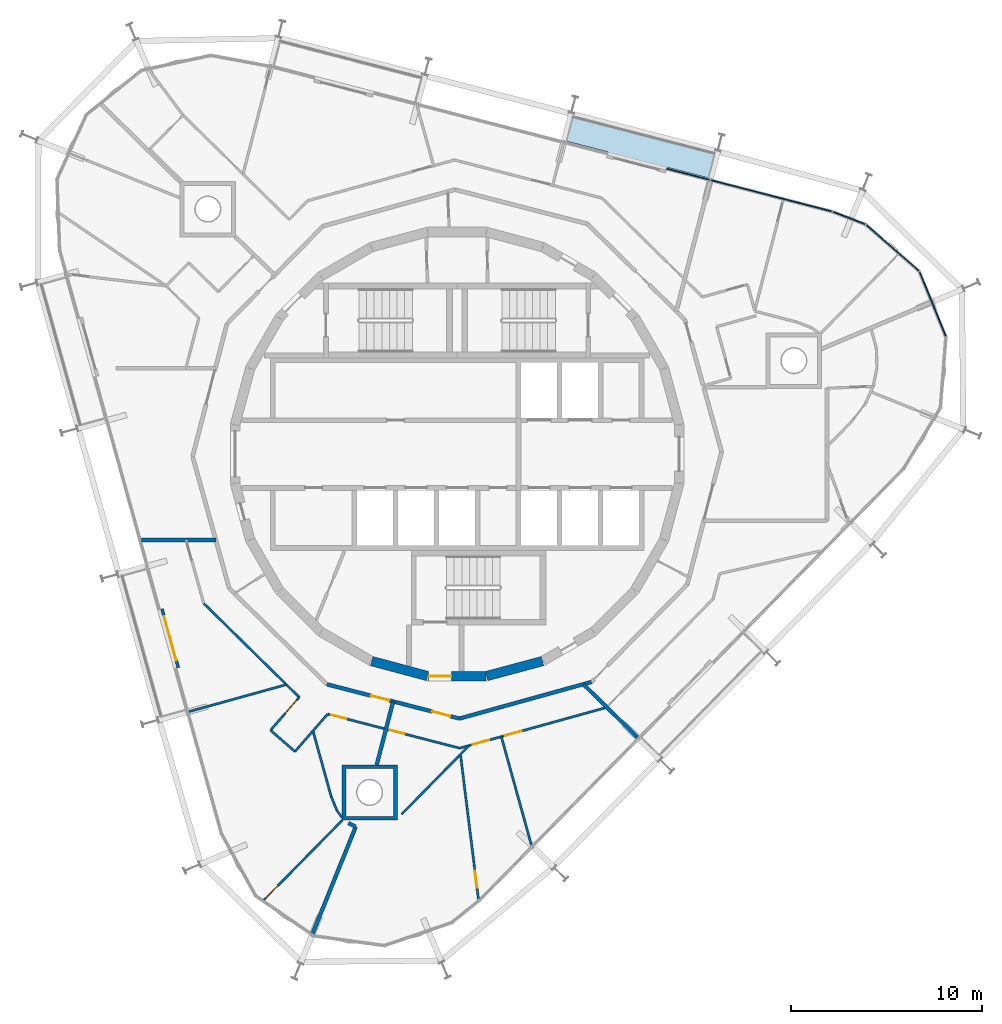
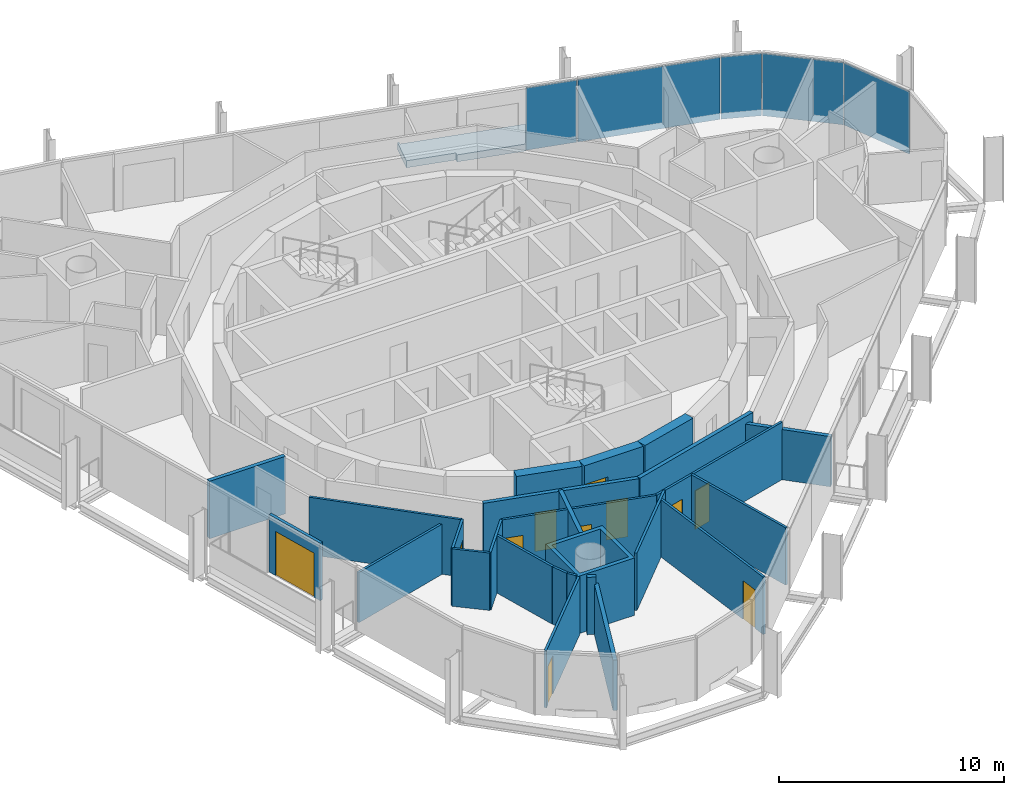
# One storey, part 9 of 15: 26 walls, 11 doors, 5 plates, 1 slab, 11 openings, 2 elements without a shape of their own.
"""IFC4 building model written with IfcOpenShell, lengths in metres."""

from ifc_helpers import new_model, si_unit, direction, frame, frame_2d, origin, origin_2d, place, context, subcontext, project, spatial, polyline, rectangle, outline, extrude, material, layer, layer_set, type_object, element, fill, aggregate, save


model = new_model("IFC4")

# Units and contexts
model_context = context("Model", 3, precision=1e-05, world=origin(), true_north=direction((0.0, 1.0)))
body_context = subcontext(model_context, "Body", "Model", "MODEL_VIEW")
ifc_project = project(units=[si_unit("LENGTHUNIT", "METRE"), si_unit("AREAUNIT", "SQUARE_METRE"), si_unit("VOLUMEUNIT", "CUBIC_METRE"), si_unit("PLANEANGLEUNIT", "RADIAN"), si_unit("MASSUNIT", "GRAM", prefix="KILO")], contexts=[model_context])

# Site, building, storey
site_placement = place(None, origin())
site = spatial("IfcSite", under=ifc_project, at=site_placement, CompositionType="ELEMENT")
building_placement = place(site_placement, origin())
building = spatial("IfcBuilding", under=site, at=building_placement, Name="Spindle Arch Residences", CompositionType="ELEMENT")
storey_placement = place(building_placement, frame((0.0, 0.0, 308.699951171875)))
storey = spatial("IfcBuildingStorey", under=building, at=storey_placement, Name="L79", CompositionType="ELEMENT", Elevation=308.699951171875)

# Slab
ifc_material_1 = material(Name="Concrete C40/50", Category="concrete")
ifc_layer_1 = layer(ifc_material_1, 0.3798828125)
ifc_layer_set_1 = layer_set([ifc_layer_1], Name="Balcony slab 380")
slab_type = type_object("IfcSlabType", Name="Balcony slab 380", PredefinedType="FLOOR", material=ifc_layer_set_1)
slab_placement = place(storey_placement, frame((0.0, 0.0, -0.3798828125)))
element("IfcSlab", 1, at=slab_placement, inside=storey, type_object=slab_type, Name="Balcony L79 bay 6", PredefinedType="FLOOR", context=body_context, shape_type="SweptSolid", body=[
    extrude(outline(polyline([(13.600830078125, 15.916259765625), (13.5283203125, 15.93505859375), (13.49072265625, 15.789794921875), (6.098876953125, 17.701416015625), (6.136474609375, 17.8466796875), (6.063720703125, 17.865478515625), (5.690673828125, 16.4228515625), (7.91015625, 15.848876953125), (7.8701171875, 15.694091796875), (10.96826171875, 14.892822265625), (11.00830078125, 15.047607421875), (13.227783203125, 14.4736328125), (13.600830078125, 15.916259765625)])), origin(), (0.0, 0.0, 1.0), 0.3798828125),
])

# Curtain wall, plates
ifc_material_2 = material(Name="Aluminium bronze unitised frame with tinted glass", Category="aluminium")
ifc_layer_2 = layer(ifc_material_2, 0.159912109375)
ifc_layer_set_2 = layer_set([ifc_layer_2], Name="CW-D corner wall on the fillet arcs")
curtain_wall_type_1 = type_object("IfcCurtainWallType", Name="CW-D corner wall on the fillet arcs", PredefinedType="NOTDEFINED", material=ifc_layer_set_2)
curtain_wall_1_placement = place(storey_placement, origin())
curtain_wall_1 = element("IfcCurtainWall", 2, at=curtain_wall_1_placement, inside=storey, type_object=curtain_wall_type_1, Name="CW-D L79 run 1", PredefinedType="NOTDEFINED")
ifc_material_3 = material(Name="Tinted double glazing over aluminium faced non-combustible spandrel zone (K0)", Category="aluminium")
ifc_layer_3 = layer(ifc_material_3, 0.06005859375)
ifc_layer_set_3 = layer_set([ifc_layer_3], Name="Unitised glass panel with E 60 spandrel zone")
plate_type = type_object("IfcPlateType", Name="Unitised glass panel with E 60 spandrel zone", PredefinedType="CURTAIN_PANEL", material=ifc_layer_set_3)
plate_1_placement = place(storey_placement, frame((24.94384765625, 7.86474609375, -0.3798828125), z_axis=(0.0, 0.0, 1.0), x_axis=(-0.377302072189, 0.926090247396, 0.0)))
plate_1 = element("IfcPlate", 3, at=plate_1_placement, type_object=plate_type, Name="CW-D unit 03", PredefinedType="CURTAIN_PANEL", context=body_context, shape_type="SweptSolid", body=[
    extrude(rectangle(XDim=3.666748046875, YDim=0.06005859375, at=origin_2d()), origin(), (0.0, 0.0, 1.0), 3.3798828125),
])
plate_2_placement = place(storey_placement, frame((22.837890625, 10.81689453125, -0.3798828125), z_axis=(0.0, 0.0, 1.0), x_axis=(-0.752797991635, 0.658251611308, 0.0)))
plate_2 = element("IfcPlate", 4, at=plate_2_placement, type_object=plate_type, Name="CW-D unit 04", PredefinedType="CURTAIN_PANEL", context=body_context, shape_type="SweptSolid", body=[
    extrude(rectangle(XDim=3.666748046875, YDim=0.06005859375, at=origin_2d()), origin(), (0.0, 0.0, 1.0), 3.3798828125),
])
plate_3_placement = place(storey_placement, frame((20.560546875, 12.38232421875, -0.3798828125), z_axis=(0.0, 0.0, 1.0), x_axis=(-0.932534030225, 0.361082099353, 0.0)))
plate_3 = element("IfcPlate", 5, at=plate_3_placement, type_object=plate_type, Name="CW-D unit 05", PredefinedType="CURTAIN_PANEL", context=body_context, shape_type="SweptSolid", body=[
    extrude(rectangle(XDim=1.816162109375, YDim=0.06005859375, at=origin_2d()), origin(), (0.0, 0.0, 1.0), 3.3798828125),
])
plate_4_placement = place(storey_placement, frame((16.483154296875, 13.549072265625, -0.3798828125), z_axis=(0.0, 0.0, 1.0), x_axis=(-0.968147640378, 0.250380004054, 0.0)))
plate_4 = element("IfcPlate", 6, at=plate_4_placement, type_object=plate_type, Name="CW-D unit 06", PredefinedType="CURTAIN_PANEL", context=body_context, shape_type="SweptSolid", body=[
    extrude(rectangle(XDim=6.555908203125, YDim=0.06005859375, at=origin_2d()), origin(), (0.0, 0.0, 1.0), 3.3798828125),
])
aggregate(curtain_wall_1, [plate_1, plate_2, plate_3, plate_4])

# Curtain wall, plate
ifc_material_4 = material(Name="Aluminium bronze unitised frame with tinted glass", Category="aluminium")
ifc_layer_4 = layer(ifc_material_4, 0.159912109375)
ifc_layer_set_4 = layer_set([ifc_layer_4], Name="CW-C typical residential unitised wall")
curtain_wall_type_2 = type_object("IfcCurtainWallType", Name="CW-C typical residential unitised wall", PredefinedType="NOTDEFINED", material=ifc_layer_set_4)
curtain_wall_2_placement = place(storey_placement, origin())
curtain_wall_2 = element("IfcCurtainWall", 7, at=curtain_wall_2_placement, inside=storey, type_object=curtain_wall_type_2, Name="CW-C L79 run 2", PredefinedType="NOTDEFINED")
plate_5_placement = place(storey_placement, frame((12.119873046875, 14.677490234375, -0.3798828125), z_axis=(0.0, 0.0, 1.0), x_axis=(-0.968147640378, 0.250380004054, 0.0)))
plate_5 = element("IfcPlate", 8, at=plate_5_placement, type_object=plate_type, Name="CW-C unit 05L", PredefinedType="CURTAIN_PANEL", context=body_context, shape_type="SweptSolid", body=[
    extrude(rectangle(XDim=2.337646484375, YDim=0.06005859375, at=origin_2d()), origin(), (0.0, 0.0, 1.0), 3.3798828125),
])
aggregate(curtain_wall_2, [plate_5])

# Walls
ifc_material_5 = material(Name="Concrete C50/60", Category="concrete")
ifc_layer_5 = layer(ifc_material_5, 0.5)
ifc_layer_set_5 = layer_set([ifc_layer_5], Name="Core outline wall 500")
wall_type_1 = type_object("IfcWallType", Name="Core outline wall 500", PredefinedType="SHEAR", material=ifc_layer_set_5)
for number, where, z_axis, x_axis, name in (
    (9, (1.5498046875, -11.642822265625, 0.0), (0.0, 0.0, 1.0), (0.965948410781, 0.258734743916, 0.0), "Core outline wall 1"),
    (10, (-4.479248046875, -10.858154296875, 0.0), (0.0, 0.0, 1.0), (0.965948410781, -0.258734743916, 0.0), "Core outline wall 23"),
):
    element("IfcWall", number, at=place(storey_placement, frame(where, z_axis=z_axis, x_axis=x_axis)), inside=storey, type_object=wall_type_1, Name=name, PredefinedType="SHEAR", context=body_context, shape_type="SweptSolid", body=[
        extrude(rectangle(XDim=3.03271484375, YDim=0.5, at=frame_2d((1.516357421875, 0.0))), origin(), (0.0, 0.0, 1.0), 3.1201171875),
    ])

# Wall, opening, door
wall_1_placement = place(storey_placement, frame((-1.516357421875, -11.647216796875, 0.0), z_axis=(0.0, 0.0, 1.0), x_axis=(1.0, 0.0, 0.0)))
wall_1 = element("IfcWall", 11, at=wall_1_placement, inside=storey, type_object=wall_type_1, Name="Core outline wall 24", PredefinedType="SHEAR", context=body_context, shape_type="SweptSolid", body=[
    extrude(rectangle(XDim=3.03271484375, YDim=0.5, at=frame_2d((1.516357421875, 0.0))), origin(), (0.0, 0.0, 1.0), 3.1201171875),
])
opening_1_placement = place(wall_1_placement, frame((0.016357421875, 0.0, 0.0)))
opening_1 = element("IfcOpeningElement", 12, at=opening_1_placement, cuts=wall_1, Name="Opening R8B1-AD03", PredefinedType="OPENING", context=body_context, shape_type="SweptSolid", body=[
    extrude(rectangle(XDim=1.199951171875, YDim=2.10009765625, at=frame_2d((0.60009765625, 1.050048828125))), frame((0.0, 0.260009765625, 0.0), z_axis=(0.0, -1.0, 0.0), x_axis=(1.0, 0.0, 0.0)), (0.0, 0.0, 1.0), 0.52001953125),
])
ifc_material_6 = material(Name="Steel, fire-resisting door", Category="steel")
door_type_1 = type_object("IfcDoorType", Name="Stair airlock door 1200x2100", OperationType="SINGLE_SWING_LEFT", PredefinedType="DOOR", material=ifc_material_6)
door_1_placement = place(opening_1_placement, origin())
door_1 = element("IfcDoor", 13, at=door_1_placement, inside=storey, type_object=door_type_1, Name="Stair airlock door R8B1-AD03", OperationType="SINGLE_SWING_RIGHT", OverallHeight=2.10009765625, OverallWidth=1.199951171875, PredefinedType="DOOR", context=body_context, shape_type="SweptSolid", body=[
    extrude(rectangle(XDim=1.199951171875, YDim=2.10009765625, at=frame_2d((0.60009765625, 1.050048828125))), frame((0.0, 0.02490234375, 0.0), z_axis=(0.0, -1.0, 0.0), x_axis=(1.0, 0.0, 0.0)), (0.0, 0.0, 1.0), 0.050048828125),
])
fill(opening_1, door_1)

# Wall, openings, doors
ifc_material_7 = material(Name="Calcium silicate block, plastered")
ifc_layer_6 = layer(ifc_material_7, 0.199951171875)
ifc_layer_set_6 = layer_set([ifc_layer_6], Name="Corridor wall 200")
wall_type_2 = type_object("IfcWallType", Name="Corridor wall 200", PredefinedType="STANDARD", material=ifc_layer_set_6)
wall_2_placement = place(storey_placement, frame((-6.831298828125, -12.07421875, 0.0), z_axis=(0.0, 0.0, 1.0), x_axis=(0.968144780225, -0.250391063186, 0.0)))
wall_2 = element("IfcWall", 14, at=wall_2_placement, inside=storey, type_object=wall_type_2, Name="Corridor wall R8B1-W014", PredefinedType="STANDARD", context=body_context, shape_type="SweptSolid", body=[
    extrude(rectangle(XDim=7.18115234375, YDim=0.199951171875, at=frame_2d((3.590576171875, 0.0))), origin(), (0.0, 0.0, 1.0), 3.1201171875),
])
opening_2_placement = place(wall_2_placement, frame((2.390380859375, 0.0, 0.0)))
opening_2 = element("IfcOpeningElement", 15, at=opening_2_placement, cuts=wall_2, Name="Opening R8B1-FD04", PredefinedType="OPENING", context=body_context, shape_type="SweptSolid", body=[
    extrude(rectangle(XDim=1.0, YDim=2.10009765625, at=frame_2d((0.5, 1.050048828125))), frame((0.0, 0.10986328125, 0.0), z_axis=(0.0, -1.0, 0.0), x_axis=(1.0, 0.0, 0.0)), (0.0, 0.0, 1.0), 0.219970703125),
])
opening_3_placement = place(wall_2_placement, frame((5.6904296875, 0.0, 0.0)))
opening_3 = element("IfcOpeningElement", 16, at=opening_3_placement, cuts=wall_2, Name="Opening R8B1-FD05", PredefinedType="OPENING", context=body_context, shape_type="SweptSolid", body=[
    extrude(rectangle(XDim=1.0, YDim=2.10009765625, at=frame_2d((0.5, 1.050048828125))), frame((0.0, 0.10986328125, 0.0), z_axis=(0.0, -1.0, 0.0), x_axis=(1.0, 0.0, 0.0)), (0.0, 0.0, 1.0), 0.219970703125),
])
ifc_material_8 = material(Name="Timber, fire-resisting door set", Category="wood")
door_type_2 = type_object("IfcDoorType", Name="Flat entrance door 1000x2100", OperationType="NOTDEFINED", PredefinedType="DOOR", material=ifc_material_8)
door_2_placement = place(opening_2_placement, origin())
door_2 = element("IfcDoor", 17, at=door_2_placement, inside=storey, type_object=door_type_2, Name="Flat entrance door R8B1-FD04", OperationType="SINGLE_SWING_RIGHT", OverallHeight=2.10009765625, OverallWidth=1.0, PredefinedType="DOOR", context=body_context, shape_type="SweptSolid", body=[
    extrude(rectangle(XDim=1.0, YDim=2.10009765625, at=frame_2d((0.5, 1.050048828125))), frame((0.0, 0.02490234375, 0.0), z_axis=(0.0, -1.0, 0.0), x_axis=(1.0, 0.0, 0.0)), (0.0, 0.0, 1.0), 0.050048828125),
])
fill(opening_2, door_2)
door_3_placement = place(opening_3_placement, origin())
door_3 = element("IfcDoor", 18, at=door_3_placement, inside=storey, type_object=door_type_2, Name="Flat entrance door R8B1-FD05", OperationType="SINGLE_SWING_LEFT", OverallHeight=2.10009765625, OverallWidth=1.0, PredefinedType="DOOR", context=body_context, shape_type="SweptSolid", body=[
    extrude(rectangle(XDim=1.0, YDim=2.10009765625, at=frame_2d((0.5, 1.050048828125))), frame((0.0, 0.02490234375, 0.0), z_axis=(0.0, -1.0, 0.0), x_axis=(1.0, 0.0, 0.0)), (0.0, 0.0, 1.0), 0.050048828125),
])
fill(opening_3, door_3)

# Walls
wall_3_placement = place(storey_placement, frame((0.12109375, -13.872314453125, 0.0), z_axis=(0.0, 0.0, 1.0), x_axis=(0.963625960674, 0.267254575108, 0.0)))
element("IfcWall", 19, at=wall_3_placement, inside=storey, type_object=wall_type_2, Name="Corridor wall R8B1-W015", PredefinedType="STANDARD", context=body_context, shape_type="SweptSolid", body=[
    extrude(rectangle(XDim=7.18115234375, YDim=0.199951171875, at=frame_2d((3.590576171875, 0.0))), origin(), (0.0, 0.0, 1.0), 3.1201171875),
])
ifc_material_9 = material(Name="Plasterboard on steel studs", Category="steel")
ifc_layer_7 = layer(ifc_material_9, 0.1201171875)
ifc_layer_set_7 = layer_set([ifc_layer_7], Name="Flat partition 120")
wall_type_3 = type_object("IfcWallType", Name="Flat partition 120", PredefinedType="PARTITIONING", material=ifc_layer_set_7)
wall_4_placement = place(storey_placement, frame((-13.291259765625, -7.8291015625, 0.0), z_axis=(0.0, 0.0, 1.0), x_axis=(0.71326209988, -0.700897408238, 0.0)))
element("IfcWall", 20, at=wall_4_placement, inside=storey, type_object=wall_type_3, Name="Flat partition R8B1-W060", PredefinedType="PARTITIONING", context=body_context, shape_type="SweptSolid", body=[
    extrude(rectangle(XDim=7.029296875, YDim=0.1201171875, at=frame_2d((3.5146484375, 0.0))), origin(), (0.0, 0.0, 1.0), 3.1201171875),
])

# Wall, opening, door
wall_5_placement = place(storey_placement, frame((-8.277587890625, -12.755859375, 0.0), z_axis=(0.0, 0.0, 1.0), x_axis=(-0.657358463875, -0.753578031774, 0.0)))
wall_5 = element("IfcWall", 21, at=wall_5_placement, inside=storey, type_object=wall_type_3, Name="Flat partition R8B1-W061", PredefinedType="PARTITIONING", context=body_context, shape_type="SweptSolid", body=[
    extrude(rectangle(XDim=2.293701171875, YDim=0.1201171875, at=frame_2d((1.14697265625, 0.0))), origin(), (0.0, 0.0, 1.0), 3.1201171875),
])
opening_4_placement = place(wall_5_placement, frame((0.199951171875, 0.0, 0.0)))
opening_4 = element("IfcOpeningElement", 22, at=opening_4_placement, cuts=wall_5, Name="Opening R8B1-ID13", PredefinedType="OPENING", context=body_context, shape_type="SweptSolid", body=[
    extrude(rectangle(XDim=0.89990234375, YDim=2.10009765625, at=frame_2d((0.449951171875, 1.050048828125))), frame((0.0, 0.070068359375, 0.0), z_axis=(0.0, -1.0, 0.0), x_axis=(1.0, 0.0, 0.0)), (0.0, 0.0, 1.0), 0.14013671875),
])
ifc_material_10 = material(Name="Timber door set", Category="wood")
door_type_3 = type_object("IfcDoorType", Name="Room door 900x2100", OperationType="NOTDEFINED", PredefinedType="DOOR", material=ifc_material_10)
door_4_placement = place(opening_4_placement, origin())
door_4 = element("IfcDoor", 23, at=door_4_placement, inside=storey, type_object=door_type_3, Name="Room door R8B1-ID13", OperationType="SINGLE_SWING_RIGHT", OverallHeight=2.10009765625, OverallWidth=0.89990234375, PredefinedType="DOOR", context=body_context, shape_type="SweptSolid", body=[
    extrude(rectangle(XDim=0.89990234375, YDim=2.10009765625, at=frame_2d((0.449951171875, 1.050048828125))), frame((0.0, 0.02490234375, 0.0), z_axis=(0.0, -1.0, 0.0), x_axis=(1.0, 0.0, 0.0)), (0.0, 0.0, 1.0), 0.050048828125),
])
fill(opening_4, door_4)

# Walls
wall_6_placement = place(storey_placement, frame((-9.785400390625, -14.484375, 0.0), z_axis=(0.0, 0.0, 1.0), x_axis=(0.753643217927, -0.657283728745, 0.0)))
element("IfcWall", 24, at=wall_6_placement, inside=storey, type_object=wall_type_3, Name="Flat partition R8B1-W062", PredefinedType="PARTITIONING", context=body_context, shape_type="SweptSolid", body=[
    extrude(rectangle(XDim=1.7001953125, YDim=0.1201171875, at=frame_2d((0.85009765625, 0.0))), origin(), (0.0, 0.0, 1.0), 3.1201171875),
])
wall_7_placement = place(storey_placement, frame((-8.504150390625, -15.601806640625, 0.0), z_axis=(0.0, 0.0, 1.0), x_axis=(0.657298689015, 0.753630170189, 0.0)))
element("IfcWall", 25, at=wall_7_placement, inside=storey, type_object=wall_type_3, Name="Flat partition R8B1-W063", PredefinedType="PARTITIONING", context=body_context, shape_type="SweptSolid", body=[
    extrude(rectangle(XDim=2.6103515625, YDim=0.1201171875, at=frame_2d((1.30517578125, 0.0))), origin(), (0.0, 0.0, 1.0), 3.1201171875),
])

# Wall, openings, doors
wall_8_placement = place(storey_placement, frame((-6.788330078125, -13.634521484375, 0.0), z_axis=(0.0, 0.0, 1.0), x_axis=(0.968142345176, -0.250400478189, 0.0)))
wall_8 = element("IfcWall", 26, at=wall_8_placement, inside=storey, type_object=wall_type_3, Name="Flat partition R8B1-W064", PredefinedType="PARTITIONING", context=body_context, shape_type="SweptSolid", body=[
    extrude(rectangle(XDim=7.150634765625, YDim=0.1201171875, at=frame_2d((3.5751953125, 0.0))), origin(), (0.0, 0.0, 1.0), 3.1201171875),
])
opening_5_placement = place(wall_8_placement, frame((0.199951171875, 0.0, 0.0)))
opening_5 = element("IfcOpeningElement", 27, at=opening_5_placement, cuts=wall_8, Name="Opening R8B1-BD04", PredefinedType="OPENING", context=body_context, shape_type="SweptSolid", body=[
    extrude(rectangle(XDim=0.800048828125, YDim=2.10009765625, at=frame_2d((0.39990234375, 1.050048828125))), frame((0.0, 0.070068359375, 0.0), z_axis=(0.0, -1.0, 0.0), x_axis=(1.0, 0.0, 0.0)), (0.0, 0.0, 1.0), 0.14013671875),
])
opening_6_placement = place(wall_8_placement, frame((3.358154296875, 0.0, 0.0)))
opening_6 = element("IfcOpeningElement", 28, at=opening_6_placement, cuts=wall_8, Name="Opening R8B1-BD05", PredefinedType="OPENING", context=body_context, shape_type="SweptSolid", body=[
    extrude(rectangle(XDim=0.800048828125, YDim=2.10009765625, at=frame_2d((0.39990234375, 1.050048828125))), frame((0.0, 0.070068359375, 0.0), z_axis=(0.0, -1.0, 0.0), x_axis=(1.0, 0.0, 0.0)), (0.0, 0.0, 1.0), 0.14013671875),
])
ifc_material_11 = material(Name="Timber door set", Category="wood")
door_type_4 = type_object("IfcDoorType", Name="Bathroom door 800x2100", OperationType="NOTDEFINED", PredefinedType="DOOR", material=ifc_material_11)
door_5_placement = place(opening_5_placement, origin())
door_5 = element("IfcDoor", 29, at=door_5_placement, inside=storey, type_object=door_type_4, Name="Bathroom door R8B1-BD04", OperationType="SINGLE_SWING_RIGHT", OverallHeight=2.10009765625, OverallWidth=0.800048828125, PredefinedType="DOOR", context=body_context, shape_type="SweptSolid", body=[
    extrude(rectangle(XDim=0.800048828125, YDim=2.10009765625, at=frame_2d((0.39990234375, 1.050048828125))), frame((0.0, 0.02490234375, 0.0), z_axis=(0.0, -1.0, 0.0), x_axis=(1.0, 0.0, 0.0)), (0.0, 0.0, 1.0), 0.050048828125),
])
fill(opening_5, door_5)
door_6_placement = place(opening_6_placement, origin())
door_6 = element("IfcDoor", 30, at=door_6_placement, inside=storey, type_object=door_type_4, Name="Bathroom door R8B1-BD05", OperationType="SINGLE_SWING_RIGHT", OverallHeight=2.10009765625, OverallWidth=0.800048828125, PredefinedType="DOOR", context=body_context, shape_type="SweptSolid", body=[
    extrude(rectangle(XDim=0.800048828125, YDim=2.10009765625, at=frame_2d((0.39990234375, 1.050048828125))), frame((0.0, 0.02490234375, 0.0), z_axis=(0.0, -1.0, 0.0), x_axis=(1.0, 0.0, 0.0)), (0.0, 0.0, 1.0), 0.050048828125),
])
fill(opening_6, door_6)

# Walls
wall_9_placement = place(storey_placement, frame((-6.04150390625, -19.060546875, 0.0), z_axis=(0.0, 0.0, 1.0), x_axis=(-0.580679627377, 0.814132157791, 0.0)))
element("IfcWall", 31, at=wall_9_placement, inside=storey, type_object=wall_type_3, Name="Flat partition R8B1-W066", PredefinedType="PARTITIONING", context=body_context, shape_type="SweptSolid", body=[
    extrude(rectangle(XDim=0.454833984375, YDim=0.1201171875, at=frame_2d((0.2275390625, 0.0))), origin(), (0.0, 0.0, 1.0), 3.1201171875),
])
wall_10_placement = place(storey_placement, frame((-6.3056640625, -18.690185546875, 0.0), z_axis=(0.0, 0.0, 1.0), x_axis=(-0.377123826076, 0.926162847347, 0.0)))
element("IfcWall", 32, at=wall_10_placement, inside=storey, type_object=wall_type_3, Name="Flat partition R8B1-W067", PredefinedType="PARTITIONING", context=body_context, shape_type="SweptSolid", body=[
    extrude(rectangle(XDim=0.806640625, YDim=0.1201171875, at=frame_2d((0.4033203125, 0.0))), origin(), (0.0, 0.0, 1.0), 3.1201171875),
])
wall_11_placement = place(storey_placement, frame((-6.60986328125, -17.943115234375, 0.0), z_axis=(0.0, 0.0, 1.0), x_axis=(-0.267254066434, 0.96362610175, 0.0)))
element("IfcWall", 33, at=wall_11_placement, inside=storey, type_object=wall_type_3, Name="Flat partition R8B1-W068", PredefinedType="PARTITIONING", context=body_context, shape_type="SweptSolid", body=[
    extrude(rectangle(XDim=3.553466796875, YDim=0.1201171875, at=frame_2d((1.77685546875, 0.0))), origin(), (0.0, 0.0, 1.0), 3.1201171875),
])

# Wall, opening, door
wall_12_placement = place(storey_placement, frame((-10.169189453125, -23.42138671875, 0.0), z_axis=(0.0, 0.0, 1.0), x_axis=(0.70104569517, 0.713116353258, 0.0)))
wall_12 = element("IfcWall", 34, at=wall_12_placement, inside=storey, type_object=wall_type_3, Name="Flat partition R8B1-W069", PredefinedType="PARTITIONING", context=body_context, shape_type="SweptSolid", body=[
    extrude(rectangle(XDim=5.92626953125, YDim=0.1201171875, at=frame_2d((2.963134765625, 0.0))), origin(), (0.0, 0.0, 1.0), 3.1201171875),
])
opening_7_placement = place(wall_12_placement, frame((0.199951171875, 0.0, 0.0)))
opening_7 = element("IfcOpeningElement", 35, at=opening_7_placement, cuts=wall_12, Name="Opening R8B1-ID14", PredefinedType="OPENING", context=body_context, shape_type="SweptSolid", body=[
    extrude(rectangle(XDim=0.89990234375, YDim=2.10009765625, at=frame_2d((0.449951171875, 1.050048828125))), frame((0.0, 0.070068359375, 0.0), z_axis=(0.0, -1.0, 0.0), x_axis=(1.0, 0.0, 0.0)), (0.0, 0.0, 1.0), 0.14013671875),
])
door_7_placement = place(opening_7_placement, origin())
door_7 = element("IfcDoor", 36, at=door_7_placement, inside=storey, type_object=door_type_3, Name="Room door R8B1-ID14", OperationType="SINGLE_SWING_RIGHT", OverallHeight=2.10009765625, OverallWidth=0.89990234375, PredefinedType="DOOR", context=body_context, shape_type="SweptSolid", body=[
    extrude(rectangle(XDim=0.89990234375, YDim=2.10009765625, at=frame_2d((0.449951171875, 1.050048828125))), frame((0.0, 0.02490234375, 0.0), z_axis=(0.0, -1.0, 0.0), x_axis=(1.0, 0.0, 0.0)), (0.0, 0.0, 1.0), 0.050048828125),
])
fill(opening_7, door_7)

# Wall, openings, doors
wall_13_placement = place(storey_placement, frame((0.134521484375, -15.425048828125, 0.0), z_axis=(0.0, 0.0, 1.0), x_axis=(0.963633899075, 0.267225950373, 0.0)))
wall_13 = element("IfcWall", 37, at=wall_13_placement, inside=storey, type_object=wall_type_3, Name="Flat partition R8B1-W070", PredefinedType="PARTITIONING", context=body_context, shape_type="SweptSolid", body=[
    extrude(rectangle(XDim=7.98486328125, YDim=0.1201171875, at=frame_2d((3.992431640625, 0.0))), origin(), (0.0, 0.0, 1.0), 3.1201171875),
])
opening_8_placement = place(wall_13_placement, frame((0.714111328125, 0.0, 0.0)))
opening_8 = element("IfcOpeningElement", 38, at=opening_8_placement, cuts=wall_13, Name="Opening R8B1-ID15", PredefinedType="OPENING", context=body_context, shape_type="SweptSolid", body=[
    extrude(rectangle(XDim=0.89990234375, YDim=2.10009765625, at=frame_2d((0.449951171875, 1.050048828125))), frame((0.0, 0.070068359375, 0.0), z_axis=(0.0, -1.0, 0.0), x_axis=(1.0, 0.0, 0.0)), (0.0, 0.0, 1.0), 0.14013671875),
])
opening_9_placement = place(wall_13_placement, frame((2.466796875, 0.0, 0.0)))
opening_9 = element("IfcOpeningElement", 39, at=opening_9_placement, cuts=wall_13, Name="Opening R8B1-ID16", PredefinedType="OPENING", context=body_context, shape_type="SweptSolid", body=[
    extrude(rectangle(XDim=0.89990234375, YDim=2.10009765625, at=frame_2d((0.449951171875, 1.050048828125))), frame((0.0, 0.070068359375, 0.0), z_axis=(0.0, -1.0, 0.0), x_axis=(1.0, 0.0, 0.0)), (0.0, 0.0, 1.0), 0.14013671875),
])
door_8_placement = place(opening_8_placement, origin())
door_8 = element("IfcDoor", 40, at=door_8_placement, inside=storey, type_object=door_type_3, Name="Room door R8B1-ID15", OperationType="SINGLE_SWING_LEFT", OverallHeight=2.10009765625, OverallWidth=0.89990234375, PredefinedType="DOOR", context=body_context, shape_type="SweptSolid", body=[
    extrude(rectangle(XDim=0.89990234375, YDim=2.10009765625, at=frame_2d((0.449951171875, 1.050048828125))), frame((0.0, 0.02490234375, 0.0), z_axis=(0.0, -1.0, 0.0), x_axis=(1.0, 0.0, 0.0)), (0.0, 0.0, 1.0), 0.050048828125),
])
fill(opening_8, door_8)
door_9_placement = place(opening_9_placement, origin())
door_9 = element("IfcDoor", 41, at=door_9_placement, inside=storey, type_object=door_type_3, Name="Room door R8B1-ID16", OperationType="SINGLE_SWING_LEFT", OverallHeight=2.10009765625, OverallWidth=0.89990234375, PredefinedType="DOOR", context=body_context, shape_type="SweptSolid", body=[
    extrude(rectangle(XDim=0.89990234375, YDim=2.10009765625, at=frame_2d((0.449951171875, 1.050048828125))), frame((0.0, 0.02490234375, 0.0), z_axis=(0.0, -1.0, 0.0), x_axis=(1.0, 0.0, 0.0)), (0.0, 0.0, 1.0), 0.050048828125),
])
fill(opening_9, door_9)

# Wall
wall_14_placement = place(storey_placement, frame((-2.917724609375, -18.89794921875, 0.0), z_axis=(0.0, 0.0, 1.0), x_axis=(0.700881606707, 0.713277627141, 0.0)))
element("IfcWall", 42, at=wall_14_placement, inside=storey, type_object=wall_type_3, Name="Flat partition R8B1-W071", PredefinedType="PARTITIONING", context=body_context, shape_type="SweptSolid", body=[
    extrude(rectangle(XDim=5.0615234375, YDim=0.1201171875, at=frame_2d((2.53076171875, 0.0))), origin(), (0.0, 0.0, 1.0), 3.1201171875),
])

# Wall, opening, door
wall_15_placement = place(storey_placement, frame((1.119140625, -23.35009765625, 0.0), z_axis=(0.0, 0.0, 1.0), x_axis=(-0.123281341476, 0.992371760402, 0.0)))
wall_15 = element("IfcWall", 43, at=wall_15_placement, inside=storey, type_object=wall_type_3, Name="Flat partition R8B1-W072", PredefinedType="PARTITIONING", context=body_context, shape_type="SweptSolid", body=[
    extrude(rectangle(XDim=7.657958984375, YDim=0.1201171875, at=frame_2d((3.8291015625, 0.0))), origin(), (0.0, 0.0, 1.0), 3.1201171875),
])
opening_10_placement = place(wall_15_placement, frame((0.60009765625, 0.0, 0.0)))
opening_10 = element("IfcOpeningElement", 44, at=opening_10_placement, cuts=wall_15, Name="Opening R8B1-ID17", PredefinedType="OPENING", context=body_context, shape_type="SweptSolid", body=[
    extrude(rectangle(XDim=0.89990234375, YDim=2.10009765625, at=frame_2d((0.449951171875, 1.050048828125))), frame((0.0, 0.070068359375, 0.0), z_axis=(0.0, -1.0, 0.0), x_axis=(1.0, 0.0, 0.0)), (0.0, 0.0, 1.0), 0.14013671875),
])
door_10_placement = place(opening_10_placement, origin())
door_10 = element("IfcDoor", 45, at=door_10_placement, inside=storey, type_object=door_type_3, Name="Room door R8B1-ID17", OperationType="SINGLE_SWING_LEFT", OverallHeight=2.10009765625, OverallWidth=0.89990234375, PredefinedType="DOOR", context=body_context, shape_type="SweptSolid", body=[
    extrude(rectangle(XDim=0.89990234375, YDim=2.10009765625, at=frame_2d((0.449951171875, 1.050048828125))), frame((0.0, 0.02490234375, 0.0), z_axis=(0.0, -1.0, 0.0), x_axis=(1.0, 0.0, 0.0)), (0.0, 0.0, 1.0), 0.050048828125),
])
fill(opening_10, door_10)

# Walls
wall_16_placement = place(storey_placement, frame((3.89990234375, -20.5205078125, 0.0), z_axis=(0.0, 0.0, 1.0), x_axis=(-0.267235205115, 0.963631332589, 0.0)))
element("IfcWall", 46, at=wall_16_placement, inside=storey, type_object=wall_type_3, Name="Flat partition R8B1-W073", PredefinedType="PARTITIONING", context=body_context, shape_type="SweptSolid", body=[
    extrude(rectangle(XDim=5.916259765625, YDim=0.1201171875, at=frame_2d((2.9580078125, 0.0))), origin(), (0.0, 0.0, 1.0), 3.1201171875),
])
ifc_material_12 = material(Name="Plasterboard on steel studs", Category="steel")
ifc_layer_8 = layer(ifc_material_12, 0.1201171875)
ifc_layer_set_8 = layer_set([ifc_layer_8], Name="Flat partition 120 under beam 2730")
wall_type_4 = type_object("IfcWallType", Name="Flat partition 120 under beam 2730", PredefinedType="PARTITIONING", material=ifc_layer_set_8)
wall_17_placement = place(storey_placement, frame((-14.06640625, -13.5078125, 0.0), z_axis=(0.0, 0.0, 1.0), x_axis=(0.963634530082, 0.267223674913, 0.0)))
element("IfcWall", 47, at=wall_17_placement, inside=storey, type_object=wall_type_4, Name="Flat partition R8B1-W065", PredefinedType="PARTITIONING", context=body_context, shape_type="SweptSolid", body=[
    extrude(rectangle(XDim=5.304443359375, YDim=0.1201171875, at=frame_2d((2.65234375, 0.0))), origin(), (0.0, 0.0, 1.0), 2.72998046875),
])
ifc_material_13 = material(Name="Calcium silicate block, plastered")
ifc_layer_9 = layer(ifc_material_13, 0.199951171875)
ifc_layer_set_9 = layer_set([ifc_layer_9], Name="Flat party wall 200")
wall_type_5 = type_object("IfcWallType", Name="Flat party wall 200", PredefinedType="STANDARD", material=ifc_layer_set_9)
wall_18_placement = place(storey_placement, frame((-4.21435546875, -16.29541015625, 0.0), z_axis=(0.0, 0.0, 1.0), x_axis=(0.250428810918, 0.968135016752, 0.0)))
element("IfcWall", 48, at=wall_18_placement, inside=storey, type_object=wall_type_5, Name="Flat party wall R8B1-W026", PredefinedType="STANDARD", context=body_context, shape_type="SweptSolid", body=[
    extrude(rectangle(XDim=3.431640625, YDim=0.199951171875, at=frame_2d((1.7158203125, 0.0))), origin(), (0.0, 0.0, 1.0), 3.1201171875),
])
wall_19_placement = place(storey_placement, frame((-5.3271484375, -19.544921875, 0.0), z_axis=(0.0, 0.0, 1.0), x_axis=(-0.884418577045, 0.466694525979, 0.0)))
element("IfcWall", 49, at=wall_19_placement, inside=storey, type_object=wall_type_5, Name="Flat party wall R8B1-W028", PredefinedType="STANDARD", context=body_context, shape_type="SweptSolid", body=[
    extrude(rectangle(XDim=0.413818359375, YDim=0.199951171875, at=frame_2d((0.20703125, 0.0))), origin(), (0.0, 0.0, 1.0), 3.1201171875),
])
ifc_material_14 = material(Name="Calcium silicate block, plastered")
ifc_layer_10 = layer(ifc_material_14, 0.199951171875)
ifc_layer_set_10 = layer_set([ifc_layer_10], Name="Flat party wall 200 under beam 2730")
wall_type_6 = type_object("IfcWallType", Name="Flat party wall 200 under beam 2730", PredefinedType="STANDARD", material=ifc_layer_set_10)
wall_20_placement = place(storey_placement, frame((-7.581787109375, -25.15087890625, 0.0), z_axis=(0.0, 0.0, 1.0), x_axis=(0.3746561435, 0.927163833493, 0.0)))
element("IfcWall", 50, at=wall_20_placement, inside=storey, type_object=wall_type_6, Name="Flat party wall R8B1-W027", PredefinedType="STANDARD", context=body_context, shape_type="SweptSolid", body=[
    extrude(rectangle(XDim=6.041259765625, YDim=0.199951171875, at=frame_2d((3.0205078125, 0.0))), origin(), (0.0, 0.0, 1.0), 2.72998046875),
])
wall_21_placement = place(storey_placement, frame((9.4619140625, -14.860595703125, 0.0), z_axis=(0.0, 0.0, 1.0), x_axis=(-0.713302018318, 0.700856783276, 0.0)))
element("IfcWall", 51, at=wall_21_placement, inside=storey, type_object=wall_type_6, Name="Flat party wall R8B1-W029", PredefinedType="STANDARD", context=body_context, shape_type="SweptSolid", body=[
    extrude(rectangle(XDim=3.982177734375, YDim=0.199951171875, at=frame_2d((1.9912109375, 0.0))), origin(), (0.0, 0.0, 1.0), 2.72998046875),
])

# Wall, opening, door
ifc_material_15 = material(Name="Non-combustible mineral wool insulated aluminium faced external wall (K0)", Category="aluminium")
ifc_layer_11 = layer(ifc_material_15, 0.159912109375)
ifc_layer_set_11 = layer_set([ifc_layer_11], Name="Insulated external wall panel 160")
wall_type_7 = type_object("IfcWallType", Name="Insulated external wall panel 160", PredefinedType="STANDARD", material=ifc_layer_set_11)
wall_22_placement = place(storey_placement, frame((-15.47705078125, -8.12158203125, 0.0), z_axis=(0.0, 0.0, 1.0), x_axis=(0.267195229387, -0.963642417805, 0.0)))
wall_22 = element("IfcWall", 52, at=wall_22_placement, inside=storey, type_object=wall_type_7, Name="External wall L79 bay 14", PredefinedType="STANDARD", context=body_context, shape_type="SweptSolid", body=[
    extrude(rectangle(XDim=3.199951171875, YDim=0.159912109375, at=frame_2d((1.60009765625, 0.0))), origin(), (0.0, 0.0, 1.0), 3.1201171875),
])
opening_11_placement = place(wall_22_placement, frame((0.39990234375, 0.0, 0.0)))
opening_11 = element("IfcOpeningElement", 53, at=opening_11_placement, cuts=wall_22, Name="Opening BD14", PredefinedType="OPENING", context=body_context, shape_type="SweptSolid", body=[
    extrude(rectangle(XDim=2.39990234375, YDim=2.39990234375, at=frame_2d((1.199951171875, 1.199951171875))), frame((0.0, 0.08984375, 0.0), z_axis=(0.0, -1.0, 0.0), x_axis=(1.0, 0.0, 0.0)), (0.0, 0.0, 1.0), 0.179931640625),
])
ifc_material_16 = material(Name="Bronze aluminium frame, tinted double glazing", Category="aluminium")
door_type_5 = type_object("IfcDoorType", Name="Sliding glazed balcony door 2400x2400", OperationType="DOUBLE_DOOR_SLIDING", PredefinedType="DOOR", material=ifc_material_16)
door_11_placement = place(opening_11_placement, origin())
door_11 = element("IfcDoor", 54, at=door_11_placement, inside=storey, type_object=door_type_5, Name="Balcony door BD14", OperationType="DOUBLE_DOOR_SLIDING", OverallHeight=2.39990234375, OverallWidth=2.39990234375, PredefinedType="DOOR", context=body_context, shape_type="SweptSolid", body=[
    extrude(rectangle(XDim=2.39990234375, YDim=2.39990234375, at=frame_2d((1.199951171875, 1.199951171875))), frame((0.0, 0.02490234375, 0.0), z_axis=(0.0, -1.0, 0.0), x_axis=(1.0, 0.0, 0.0)), (0.0, 0.0, 1.0), 0.050048828125),
])
fill(opening_11, door_11)

# Walls
ifc_material_17 = material(Name="Calcium silicate block, plastered")
ifc_layer_12 = layer(ifc_material_17, 0.199951171875)
ifc_layer_set_12 = layer_set([ifc_layer_12], Name="Lift lobby bay wall 200")
wall_type_8 = type_object("IfcWallType", Name="Lift lobby bay wall 200", PredefinedType="STANDARD", material=ifc_layer_set_12)
wall_23_placement = place(storey_placement, frame((-16.564453125, -4.5, 0.0), z_axis=(0.0, 0.0, 1.0), x_axis=(1.0, 0.0, 0.0)))
element("IfcWall", 55, at=wall_23_placement, inside=storey, type_object=wall_type_8, Name="Lift lobby bay wall R8B1-W018", PredefinedType="STANDARD", context=body_context, shape_type="SweptSolid", body=[
    extrude(rectangle(XDim=3.90673828125, YDim=0.199951171875, at=frame_2d((1.953369140625, 0.0))), origin(), (0.0, 0.0, 1.0), 3.1201171875),
])
ifc_material_18 = material(Name="Calcium silicate block, plastered")
ifc_layer_13 = layer(ifc_material_18, 0.199951171875)
ifc_layer_set_13 = layer_set([ifc_layer_13], Name="Mega-column casing wall 200")
wall_type_9 = type_object("IfcWallType", Name="Mega-column casing wall 200", PredefinedType="STANDARD", material=ifc_layer_set_13)
wall_24_placement = place(storey_placement, origin())
element("IfcWall", 56, at=wall_24_placement, inside=storey, type_object=wall_type_9, Name="Mega-column casing wall R8B1-WC03", PredefinedType="STANDARD", context=body_context, shape_type="SweptSolid", body=[
    extrude(outline(polyline([(-3.139404296875, -16.29541015625), (-3.139404296875, -19.1953125), (-6.039306640625, -19.1953125), (-6.039306640625, -16.29541015625), (-3.139404296875, -16.29541015625)]), holes=[polyline([(-5.83935546875, -18.995361328125), (-3.33935546875, -18.995361328125), (-3.33935546875, -16.495361328125), (-5.83935546875, -16.495361328125), (-5.83935546875, -18.995361328125)])]), origin(), (0.0, 0.0, 1.0), 3.1201171875),
])

save(model, "model.ifc")
